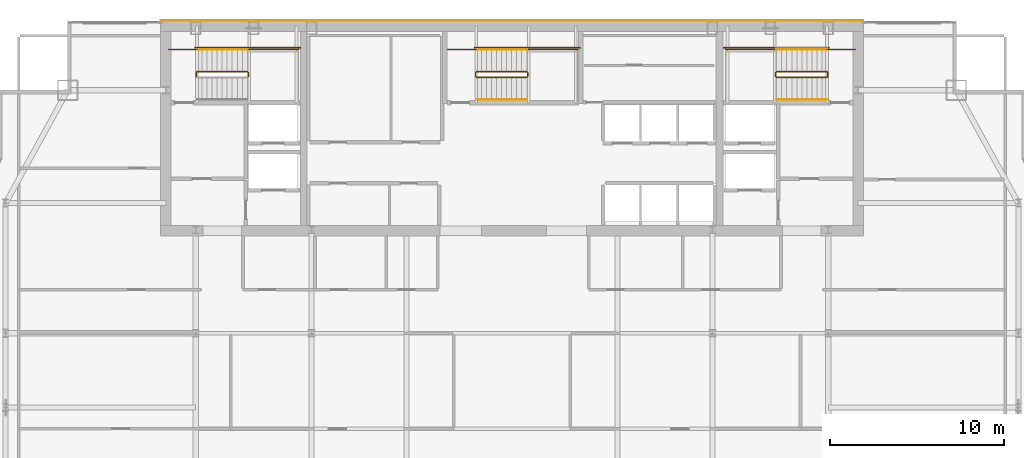
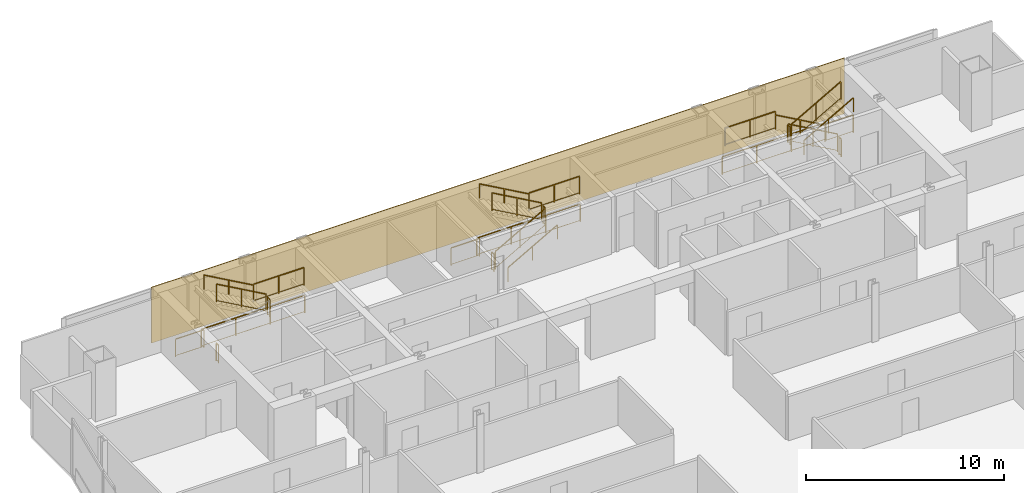
# One storey, part 30 of 30: 25 railings, 1 covering.
"""IFC4 building model written with IfcOpenShell, lengths in metres."""

from ifc_helpers import new_model, si_unit, direction, frame, origin, origin_2d, place, context, subcontext, project, spatial, polyline, rectangle, outline, extrude, material, layer, layer_set, type_object, element, save


model = new_model("IFC4")

# Units and contexts
model_context = context("Model", 3, precision=1e-05, world=origin(), true_north=direction((0.0, 1.0)))
body_context = subcontext(model_context, "Body", "Model", "MODEL_VIEW")
ifc_project = project(units=[si_unit("LENGTHUNIT", "METRE"), si_unit("AREAUNIT", "SQUARE_METRE"), si_unit("VOLUMEUNIT", "CUBIC_METRE"), si_unit("PLANEANGLEUNIT", "RADIAN"), si_unit("MASSUNIT", "GRAM", prefix="KILO")], contexts=[model_context])

# Site, building, storey
site_placement = place(None, origin())
site = spatial("IfcSite", under=ifc_project, at=site_placement, CompositionType="ELEMENT")
building_placement = place(site_placement, origin())
building = spatial("IfcBuilding", under=site, at=building_placement, Name="Khoronbel Lancet Exchange", CompositionType="ELEMENT")
storey_placement = place(building_placement, frame((0.0, 0.0, 206.60009765625)))
storey = spatial("IfcBuildingStorey", under=building, at=storey_placement, Name="L52", CompositionType="ELEMENT", Elevation=206.60009765625)

# Covering
ifc_material_1 = material(Name="Honed Egyptian Limestone & Bronze Rainscreen", Category="masonry")
ifc_layer = layer(ifc_material_1, 0.050048828125, Name="Honed Egyptian Limestone & Bronze Rainscreen")
ifc_layer_set = layer_set([ifc_layer], Name="Honed Egyptian Limestone & Bronze Rainscreen")
covering_type = type_object("IfcCoveringType", Name="COV-CLAD1", PredefinedType="CLADDING", material=ifc_layer_set)
covering_placement = place(storey_placement, origin())
element("IfcCovering", 1, at=covering_placement, inside=storey, type_object=covering_type, Name="Level L52 north rear-core stone and bronze rainscreen cladding", PredefinedType="CLADDING", context=body_context, shape_type="SweptSolid", body=[
    extrude(outline(polyline([(16.199951171875, 53.699951171875), (56.699951171875, 53.699951171875), (56.699951171875, 53.75), (16.199951171875, 53.75), (16.199951171875, 53.699951171875)])), origin(), (0.0, 0.0, 1.0), 3.43994140625),
])

# Railings
ifc_material_2 = material(Name="Painted Steel Balustrade", Category="steel")
railing_type_1 = type_object("IfcRailingType", Name="RL-STG110", PredefinedType="GUARDRAIL", material=ifc_material_2)
railing_1_placement = place(storey_placement, frame((21.25, 50.5, 1.7998046875)))
element("IfcRailing", 2, at=railing_1_placement, inside=storey, type_object=railing_type_1, Name="L52 ST1 stair guard 2", PredefinedType="GUARDRAIL", context=body_context, shape_type="SweptSolid", body=[
    extrude(rectangle(XDim=0.048095703125, YDim=0.048095703125, at=origin_2d()), frame((0.0, 0.0, 1.09619140625), z_axis=(0.0, 1.0, 0.0), x_axis=(-1.0, 0.0, 0.0)), (0.0, 0.0, 1.0), 0.219970703125),
    extrude(rectangle(XDim=0.02392578125, YDim=0.02392578125, at=origin_2d()), frame((0.0, 0.0, 0.080078125), z_axis=(0.0, 1.0, 0.0), x_axis=(-1.0, 0.0, 0.0)), (0.0, 0.0, 1.0), 0.219970703125),
    extrude(rectangle(XDim=0.0419921875, YDim=0.0419921875, at=origin_2d()), origin(), (0.0, 0.0, 1.0), 1.072021484375),
    extrude(rectangle(XDim=0.0419921875, YDim=0.0419921875, at=origin_2d()), frame((0.0, 0.219970703125, 0.0)), (0.0, 0.0, 1.0), 1.072021484375),
])
railing_2_placement = place(storey_placement, frame((21.199951171875, 52.050048828125, 1.7998046875)))
element("IfcRailing", 3, at=railing_2_placement, inside=storey, type_object=railing_type_1, Name="L52 ST1 stair guard 3", PredefinedType="GUARDRAIL", context=body_context, shape_type="SweptSolid", body=[
    extrude(rectangle(XDim=0.048095703125, YDim=0.048095703125, at=origin_2d()), frame((0.0, 0.0, 1.09619140625), z_axis=(1.0, 0.0, 0.0), x_axis=(0.0, 1.0, 0.0)), (0.0, 0.0, 1.0), 2.949951171875),
    extrude(rectangle(XDim=0.02392578125, YDim=0.02392578125, at=origin_2d()), frame((0.0, 0.0, 0.080078125), z_axis=(1.0, 0.0, 0.0), x_axis=(0.0, 1.0, 0.0)), (0.0, 0.0, 1.0), 2.949951171875),
    extrude(rectangle(XDim=0.0419921875, YDim=0.0419921875, at=origin_2d()), origin(), (0.0, 0.0, 1.0), 1.072021484375),
    extrude(rectangle(XDim=0.0419921875, YDim=0.0419921875, at=origin_2d()), frame((1.47509765625, 0.0, 0.0)), (0.0, 0.0, 1.0), 1.072021484375),
    extrude(rectangle(XDim=0.0419921875, YDim=0.0419921875, at=origin_2d()), frame((2.949951171875, 0.0, 0.0)), (0.0, 0.0, 1.0), 1.072021484375),
])
railing_3_placement = place(storey_placement, frame((21.199951171875, 50.77001953125, 1.963623046875)))
element("IfcRailing", 4, at=railing_3_placement, inside=storey, type_object=railing_type_1, Name="L52 ST1 stair guard 4", PredefinedType="GUARDRAIL", context=body_context, shape_type="SweptSolid", body=[
    extrude(rectangle(XDim=0.048095703125, YDim=0.048095703125, at=origin_2d()), frame((0.0, 0.0, 1.09619140625), z_axis=(-0.870928581787, 0.0, 0.491409610636), x_axis=(0.0, -1.0, 0.0)), (0.0, 0.0, 1.0), 3.32958984375),
    extrude(rectangle(XDim=0.02392578125, YDim=0.02392578125, at=origin_2d()), frame((0.0, 0.0, 0.080078125), z_axis=(-0.870928581787, 0.0, 0.491409610636), x_axis=(0.0, -1.0, 0.0)), (0.0, 0.0, 1.0), 3.32958984375),
    extrude(rectangle(XDim=0.0419921875, YDim=0.0419921875, at=origin_2d()), origin(), (0.0, 0.0, 1.0), 1.072021484375),
    extrude(rectangle(XDim=0.0419921875, YDim=0.0419921875, at=origin_2d()), frame((-1.449951171875, 0.0, 0.818115234375)), (0.0, 0.0, 1.0), 1.072021484375),
    extrude(rectangle(XDim=0.0419921875, YDim=0.0419921875, at=origin_2d()), frame((-2.89990234375, 0.0, 1.63623046875)), (0.0, 0.0, 1.0), 1.072021484375),
])
railing_4_placement = place(storey_placement, frame((18.25, 50.5, 0.0)))
element("IfcRailing", 5, at=railing_4_placement, inside=storey, type_object=railing_type_1, Name="L52 ST1 stair guard 5", PredefinedType="GUARDRAIL", context=body_context, shape_type="SweptSolid", body=[
    extrude(rectangle(XDim=0.048095703125, YDim=0.048095703125, at=origin_2d()), frame((0.0, 0.0, 1.09619140625), z_axis=(0.0, 1.0, 0.0), x_axis=(-1.0, 0.0, 0.0)), (0.0, 0.0, 1.0), 0.219970703125),
    extrude(rectangle(XDim=0.02392578125, YDim=0.02392578125, at=origin_2d()), frame((0.0, 0.0, 0.080078125), z_axis=(0.0, 1.0, 0.0), x_axis=(-1.0, 0.0, 0.0)), (0.0, 0.0, 1.0), 0.219970703125),
    extrude(rectangle(XDim=0.0419921875, YDim=0.0419921875, at=origin_2d()), origin(), (0.0, 0.0, 1.0), 1.072021484375),
    extrude(rectangle(XDim=0.0419921875, YDim=0.0419921875, at=origin_2d()), frame((0.0, 0.219970703125, 0.0)), (0.0, 0.0, 1.0), 1.072021484375),
])
railing_5_placement = place(storey_placement, frame((16.64990234375, 52.050048828125, 0.0)))
element("IfcRailing", 6, at=railing_5_placement, inside=storey, type_object=railing_type_1, Name="L52 ST1 stair guard 6", PredefinedType="GUARDRAIL", context=body_context, shape_type="SweptSolid", body=[
    extrude(rectangle(XDim=0.048095703125, YDim=0.048095703125, at=origin_2d()), frame((0.0, 0.0, 1.09619140625), z_axis=(1.0, 0.0, 0.0), x_axis=(0.0, 1.0, 0.0)), (0.0, 0.0, 1.0), 1.650146484375),
    extrude(rectangle(XDim=0.02392578125, YDim=0.02392578125, at=origin_2d()), frame((0.0, 0.0, 0.080078125), z_axis=(1.0, 0.0, 0.0), x_axis=(0.0, 1.0, 0.0)), (0.0, 0.0, 1.0), 1.650146484375),
    extrude(rectangle(XDim=0.0419921875, YDim=0.0419921875, at=origin_2d()), origin(), (0.0, 0.0, 1.0), 1.072021484375),
    extrude(rectangle(XDim=0.0419921875, YDim=0.0419921875, at=origin_2d()), frame((1.650146484375, 0.0, 0.0)), (0.0, 0.0, 1.0), 1.072021484375),
])
railing_6_placement = place(storey_placement, frame((18.199951171875, 52.14990234375, 0.0)))
element("IfcRailing", 7, at=railing_6_placement, inside=storey, type_object=railing_type_1, Name="L52 ST1 stair guard 7", PredefinedType="GUARDRAIL", context=body_context, shape_type="SweptSolid", body=[
    extrude(rectangle(XDim=0.048095703125, YDim=0.048095703125, at=origin_2d()), frame((0.0, 0.0, 1.09619140625), z_axis=(1.0, 0.0, 0.0), x_axis=(0.0, 1.0, 0.0)), (0.0, 0.0, 1.0), 6.050048828125),
    extrude(rectangle(XDim=0.02392578125, YDim=0.02392578125, at=origin_2d()), frame((0.0, 0.0, 0.080078125), z_axis=(1.0, 0.0, 0.0), x_axis=(0.0, 1.0, 0.0)), (0.0, 0.0, 1.0), 6.050048828125),
    extrude(rectangle(XDim=0.0419921875, YDim=0.0419921875, at=origin_2d()), origin(), (0.0, 0.0, 1.0), 1.072021484375),
    extrude(rectangle(XDim=0.0419921875, YDim=0.0419921875, at=origin_2d()), frame((2.0166015625, 0.0, 0.0)), (0.0, 0.0, 1.0), 1.072021484375),
    extrude(rectangle(XDim=0.0419921875, YDim=0.0419921875, at=origin_2d()), frame((4.033447265625, 0.0, 0.0)), (0.0, 0.0, 1.0), 1.072021484375),
    extrude(rectangle(XDim=0.0419921875, YDim=0.0419921875, at=origin_2d()), frame((6.050048828125, 0.0, 0.0)), (0.0, 0.0, 1.0), 1.072021484375),
])
railing_7_placement = place(storey_placement, frame((54.60009765625, 50.77001953125, 0.16357421875)))
element("IfcRailing", 8, at=railing_7_placement, inside=storey, type_object=railing_type_1, Name="L52 ST2 stair guard 1", PredefinedType="GUARDRAIL", context=body_context, shape_type="SweptSolid", body=[
    extrude(rectangle(XDim=0.048095703125, YDim=0.048095703125, at=origin_2d()), frame((0.0, 0.0, 1.09619140625), z_axis=(-0.870946286338, 0.0, 0.49137823142), x_axis=(0.0, -1.0, 0.0)), (0.0, 0.0, 1.0), 3.329833984375),
    extrude(rectangle(XDim=0.02392578125, YDim=0.02392578125, at=origin_2d()), frame((0.0, 0.0, 0.080078125), z_axis=(-0.870946286338, 0.0, 0.49137823142), x_axis=(0.0, -1.0, 0.0)), (0.0, 0.0, 1.0), 3.329833984375),
    extrude(rectangle(XDim=0.0419921875, YDim=0.0419921875, at=origin_2d()), origin(), (0.0, 0.0, 1.0), 1.072021484375),
    extrude(rectangle(XDim=0.0419921875, YDim=0.0419921875, at=origin_2d()), frame((-1.4501953125, 0.0, 0.818115234375)), (0.0, 0.0, 1.0), 1.072021484375),
    extrude(rectangle(XDim=0.0419921875, YDim=0.0419921875, at=origin_2d()), frame((-2.900146484375, 0.0, 1.63623046875)), (0.0, 0.0, 1.0), 1.072021484375),
])
railing_8_placement = place(storey_placement, frame((51.64990234375, 50.719970703125, 1.7998046875)))
element("IfcRailing", 9, at=railing_8_placement, inside=storey, type_object=railing_type_1, Name="L52 ST2 stair guard 2", PredefinedType="GUARDRAIL", context=body_context, shape_type="SweptSolid", body=[
    extrude(rectangle(XDim=0.048095703125, YDim=0.048095703125, at=origin_2d()), frame((0.0, 0.0, 1.09619140625), z_axis=(0.0, -1.0, 0.0), x_axis=(1.0, 0.0, 0.0)), (0.0, 0.0, 1.0), 0.219970703125),
    extrude(rectangle(XDim=0.02392578125, YDim=0.02392578125, at=origin_2d()), frame((0.0, 0.0, 0.080078125), z_axis=(0.0, -1.0, 0.0), x_axis=(1.0, 0.0, 0.0)), (0.0, 0.0, 1.0), 0.219970703125),
    extrude(rectangle(XDim=0.0419921875, YDim=0.0419921875, at=origin_2d()), origin(), (0.0, 0.0, 1.0), 1.072021484375),
    extrude(rectangle(XDim=0.0419921875, YDim=0.0419921875, at=origin_2d()), frame((0.0, -0.219970703125, 0.0)), (0.0, 0.0, 1.0), 1.072021484375),
])
railing_9_placement = place(storey_placement, frame((51.699951171875, 52.050048828125, 1.7998046875)))
element("IfcRailing", 10, at=railing_9_placement, inside=storey, type_object=railing_type_1, Name="L52 ST2 stair guard 3", PredefinedType="GUARDRAIL", context=body_context, shape_type="SweptSolid", body=[
    extrude(rectangle(XDim=0.048095703125, YDim=0.048095703125, at=origin_2d()), frame((0.0, 0.0, 1.09619140625), z_axis=(-1.0, 0.0, 0.0), x_axis=(0.0, -1.0, 0.0)), (0.0, 0.0, 1.0), 2.949951171875),
    extrude(rectangle(XDim=0.02392578125, YDim=0.02392578125, at=origin_2d()), frame((0.0, 0.0, 0.080078125), z_axis=(-1.0, 0.0, 0.0), x_axis=(0.0, -1.0, 0.0)), (0.0, 0.0, 1.0), 2.949951171875),
    extrude(rectangle(XDim=0.0419921875, YDim=0.0419921875, at=origin_2d()), origin(), (0.0, 0.0, 1.0), 1.072021484375),
    extrude(rectangle(XDim=0.0419921875, YDim=0.0419921875, at=origin_2d()), frame((-1.47509765625, 0.0, 0.0)), (0.0, 0.0, 1.0), 1.072021484375),
    extrude(rectangle(XDim=0.0419921875, YDim=0.0419921875, at=origin_2d()), frame((-2.949951171875, 0.0, 0.0)), (0.0, 0.0, 1.0), 1.072021484375),
])
railing_10_placement = place(storey_placement, frame((51.699951171875, 50.449951171875, 1.963623046875)))
element("IfcRailing", 11, at=railing_10_placement, inside=storey, type_object=railing_type_1, Name="L52 ST2 stair guard 4", PredefinedType="GUARDRAIL", context=body_context, shape_type="SweptSolid", body=[
    extrude(rectangle(XDim=0.048095703125, YDim=0.048095703125, at=origin_2d()), frame((0.0, 0.0, 1.09619140625), z_axis=(0.870946286338, 0.0, 0.49137823142), x_axis=(0.0, 1.0, 0.0)), (0.0, 0.0, 1.0), 3.329833984375),
    extrude(rectangle(XDim=0.02392578125, YDim=0.02392578125, at=origin_2d()), frame((0.0, 0.0, 0.080078125), z_axis=(0.870946286338, 0.0, 0.49137823142), x_axis=(0.0, 1.0, 0.0)), (0.0, 0.0, 1.0), 3.329833984375),
    extrude(rectangle(XDim=0.0419921875, YDim=0.0419921875, at=origin_2d()), origin(), (0.0, 0.0, 1.0), 1.072021484375),
    extrude(rectangle(XDim=0.0419921875, YDim=0.0419921875, at=origin_2d()), frame((1.4501953125, 0.0, 0.818115234375)), (0.0, 0.0, 1.0), 1.072021484375),
    extrude(rectangle(XDim=0.0419921875, YDim=0.0419921875, at=origin_2d()), frame((2.900146484375, 0.0, 1.63623046875)), (0.0, 0.0, 1.0), 1.072021484375),
])
railing_11_placement = place(storey_placement, frame((54.64990234375, 50.719970703125, 0.0)))
element("IfcRailing", 12, at=railing_11_placement, inside=storey, type_object=railing_type_1, Name="L52 ST2 stair guard 5", PredefinedType="GUARDRAIL", context=body_context, shape_type="SweptSolid", body=[
    extrude(rectangle(XDim=0.048095703125, YDim=0.048095703125, at=origin_2d()), frame((0.0, 0.0, 1.09619140625), z_axis=(0.0, -1.0, 0.0), x_axis=(1.0, 0.0, 0.0)), (0.0, 0.0, 1.0), 0.219970703125),
    extrude(rectangle(XDim=0.02392578125, YDim=0.02392578125, at=origin_2d()), frame((0.0, 0.0, 0.080078125), z_axis=(0.0, -1.0, 0.0), x_axis=(1.0, 0.0, 0.0)), (0.0, 0.0, 1.0), 0.219970703125),
    extrude(rectangle(XDim=0.0419921875, YDim=0.0419921875, at=origin_2d()), origin(), (0.0, 0.0, 1.0), 1.072021484375),
    extrude(rectangle(XDim=0.0419921875, YDim=0.0419921875, at=origin_2d()), frame((0.0, -0.219970703125, 0.0)), (0.0, 0.0, 1.0), 1.072021484375),
])
railing_12_placement = place(storey_placement, frame((56.25, 52.050048828125, 0.0)))
element("IfcRailing", 13, at=railing_12_placement, inside=storey, type_object=railing_type_1, Name="L52 ST2 stair guard 6", PredefinedType="GUARDRAIL", context=body_context, shape_type="SweptSolid", body=[
    extrude(rectangle(XDim=0.048095703125, YDim=0.048095703125, at=origin_2d()), frame((0.0, 0.0, 1.09619140625), z_axis=(-1.0, 0.0, 0.0), x_axis=(0.0, -1.0, 0.0)), (0.0, 0.0, 1.0), 1.64990234375),
    extrude(rectangle(XDim=0.02392578125, YDim=0.02392578125, at=origin_2d()), frame((0.0, 0.0, 0.080078125), z_axis=(-1.0, 0.0, 0.0), x_axis=(0.0, -1.0, 0.0)), (0.0, 0.0, 1.0), 1.64990234375),
    extrude(rectangle(XDim=0.0419921875, YDim=0.0419921875, at=origin_2d()), origin(), (0.0, 0.0, 1.0), 1.072021484375),
    extrude(rectangle(XDim=0.0419921875, YDim=0.0419921875, at=origin_2d()), frame((-1.64990234375, 0.0, 0.0)), (0.0, 0.0, 1.0), 1.072021484375),
])
railing_13_placement = place(storey_placement, frame((54.699951171875, 52.14990234375, 0.0)))
element("IfcRailing", 14, at=railing_13_placement, inside=storey, type_object=railing_type_1, Name="L52 ST2 stair guard 7", PredefinedType="GUARDRAIL", context=body_context, shape_type="SweptSolid", body=[
    extrude(rectangle(XDim=0.048095703125, YDim=0.048095703125, at=origin_2d()), frame((0.0, 0.0, 1.09619140625), z_axis=(-1.0, 0.0, 0.0), x_axis=(0.0, -1.0, 0.0)), (0.0, 0.0, 1.0), 6.050048828125),
    extrude(rectangle(XDim=0.02392578125, YDim=0.02392578125, at=origin_2d()), frame((0.0, 0.0, 0.080078125), z_axis=(-1.0, 0.0, 0.0), x_axis=(0.0, -1.0, 0.0)), (0.0, 0.0, 1.0), 6.050048828125),
    extrude(rectangle(XDim=0.0419921875, YDim=0.0419921875, at=origin_2d()), origin(), (0.0, 0.0, 1.0), 1.072021484375),
    extrude(rectangle(XDim=0.0419921875, YDim=0.0419921875, at=origin_2d()), frame((-2.0166015625, 0.0, 0.0)), (0.0, 0.0, 1.0), 1.072021484375),
    extrude(rectangle(XDim=0.0419921875, YDim=0.0419921875, at=origin_2d()), frame((-4.033447265625, 0.0, 0.0)), (0.0, 0.0, 1.0), 1.072021484375),
    extrude(rectangle(XDim=0.0419921875, YDim=0.0419921875, at=origin_2d()), frame((-6.050048828125, 0.0, 0.0)), (0.0, 0.0, 1.0), 1.072021484375),
])
railing_14_placement = place(storey_placement, frame((34.39990234375, 50.449951171875, 0.16357421875)))
element("IfcRailing", 15, at=railing_14_placement, inside=storey, type_object=railing_type_1, Name="L52 ST3 stair guard 1", PredefinedType="GUARDRAIL", context=body_context, shape_type="SweptSolid", body=[
    extrude(rectangle(XDim=0.048095703125, YDim=0.048095703125, at=origin_2d()), frame((0.0, 0.0, 1.09619140625), z_axis=(0.870946286338, 0.0, 0.49137823142), x_axis=(0.0, 1.0, 0.0)), (0.0, 0.0, 1.0), 3.329833984375),
    extrude(rectangle(XDim=0.02392578125, YDim=0.02392578125, at=origin_2d()), frame((0.0, 0.0, 0.080078125), z_axis=(0.870946286338, 0.0, 0.49137823142), x_axis=(0.0, 1.0, 0.0)), (0.0, 0.0, 1.0), 3.329833984375),
    extrude(rectangle(XDim=0.0419921875, YDim=0.0419921875, at=origin_2d()), origin(), (0.0, 0.0, 1.0), 1.072021484375),
    extrude(rectangle(XDim=0.0419921875, YDim=0.0419921875, at=origin_2d()), frame((1.4501953125, 0.0, 0.818115234375)), (0.0, 0.0, 1.0), 1.072021484375),
    extrude(rectangle(XDim=0.0419921875, YDim=0.0419921875, at=origin_2d()), frame((2.900146484375, 0.0, 1.63623046875)), (0.0, 0.0, 1.0), 1.072021484375),
])
railing_15_placement = place(storey_placement, frame((37.35009765625, 50.5, 1.7998046875)))
element("IfcRailing", 16, at=railing_15_placement, inside=storey, type_object=railing_type_1, Name="L52 ST3 stair guard 2", PredefinedType="GUARDRAIL", context=body_context, shape_type="SweptSolid", body=[
    extrude(rectangle(XDim=0.048095703125, YDim=0.048095703125, at=origin_2d()), frame((0.0, 0.0, 1.09619140625), z_axis=(0.0, 1.0, 0.0), x_axis=(-1.0, 0.0, 0.0)), (0.0, 0.0, 1.0), 0.219970703125),
    extrude(rectangle(XDim=0.02392578125, YDim=0.02392578125, at=origin_2d()), frame((0.0, 0.0, 0.080078125), z_axis=(0.0, 1.0, 0.0), x_axis=(-1.0, 0.0, 0.0)), (0.0, 0.0, 1.0), 0.219970703125),
    extrude(rectangle(XDim=0.0419921875, YDim=0.0419921875, at=origin_2d()), origin(), (0.0, 0.0, 1.0), 1.072021484375),
    extrude(rectangle(XDim=0.0419921875, YDim=0.0419921875, at=origin_2d()), frame((0.0, 0.219970703125, 0.0)), (0.0, 0.0, 1.0), 1.072021484375),
])
railing_16_placement = place(storey_placement, frame((37.300048828125, 52.050048828125, 1.7998046875)))
element("IfcRailing", 17, at=railing_16_placement, inside=storey, type_object=railing_type_1, Name="L52 ST3 stair guard 3", PredefinedType="GUARDRAIL", context=body_context, shape_type="SweptSolid", body=[
    extrude(rectangle(XDim=0.048095703125, YDim=0.048095703125, at=origin_2d()), frame((0.0, 0.0, 1.09619140625), z_axis=(1.0, 0.0, 0.0), x_axis=(0.0, 1.0, 0.0)), (0.0, 0.0, 1.0), 2.949951171875),
    extrude(rectangle(XDim=0.02392578125, YDim=0.02392578125, at=origin_2d()), frame((0.0, 0.0, 0.080078125), z_axis=(1.0, 0.0, 0.0), x_axis=(0.0, 1.0, 0.0)), (0.0, 0.0, 1.0), 2.949951171875),
    extrude(rectangle(XDim=0.0419921875, YDim=0.0419921875, at=origin_2d()), origin(), (0.0, 0.0, 1.0), 1.072021484375),
    extrude(rectangle(XDim=0.0419921875, YDim=0.0419921875, at=origin_2d()), frame((1.47509765625, 0.0, 0.0)), (0.0, 0.0, 1.0), 1.072021484375),
    extrude(rectangle(XDim=0.0419921875, YDim=0.0419921875, at=origin_2d()), frame((2.949951171875, 0.0, 0.0)), (0.0, 0.0, 1.0), 1.072021484375),
])
railing_17_placement = place(storey_placement, frame((37.300048828125, 50.77001953125, 1.963623046875)))
element("IfcRailing", 18, at=railing_17_placement, inside=storey, type_object=railing_type_1, Name="L52 ST3 stair guard 4", PredefinedType="GUARDRAIL", context=body_context, shape_type="SweptSolid", body=[
    extrude(rectangle(XDim=0.048095703125, YDim=0.048095703125, at=origin_2d()), frame((0.0, 0.0, 1.09619140625), z_axis=(-0.870946286338, 0.0, 0.49137823142), x_axis=(0.0, -1.0, 0.0)), (0.0, 0.0, 1.0), 3.329833984375),
    extrude(rectangle(XDim=0.02392578125, YDim=0.02392578125, at=origin_2d()), frame((0.0, 0.0, 0.080078125), z_axis=(-0.870946286338, 0.0, 0.49137823142), x_axis=(0.0, -1.0, 0.0)), (0.0, 0.0, 1.0), 3.329833984375),
    extrude(rectangle(XDim=0.0419921875, YDim=0.0419921875, at=origin_2d()), origin(), (0.0, 0.0, 1.0), 1.072021484375),
    extrude(rectangle(XDim=0.0419921875, YDim=0.0419921875, at=origin_2d()), frame((-1.4501953125, 0.0, 0.818115234375)), (0.0, 0.0, 1.0), 1.072021484375),
    extrude(rectangle(XDim=0.0419921875, YDim=0.0419921875, at=origin_2d()), frame((-2.900146484375, 0.0, 1.63623046875)), (0.0, 0.0, 1.0), 1.072021484375),
])
railing_18_placement = place(storey_placement, frame((34.35009765625, 50.5, 0.0)))
element("IfcRailing", 19, at=railing_18_placement, inside=storey, type_object=railing_type_1, Name="L52 ST3 stair guard 5", PredefinedType="GUARDRAIL", context=body_context, shape_type="SweptSolid", body=[
    extrude(rectangle(XDim=0.048095703125, YDim=0.048095703125, at=origin_2d()), frame((0.0, 0.0, 1.09619140625), z_axis=(0.0, 1.0, 0.0), x_axis=(-1.0, 0.0, 0.0)), (0.0, 0.0, 1.0), 0.219970703125),
    extrude(rectangle(XDim=0.02392578125, YDim=0.02392578125, at=origin_2d()), frame((0.0, 0.0, 0.080078125), z_axis=(0.0, 1.0, 0.0), x_axis=(-1.0, 0.0, 0.0)), (0.0, 0.0, 1.0), 0.219970703125),
    extrude(rectangle(XDim=0.0419921875, YDim=0.0419921875, at=origin_2d()), origin(), (0.0, 0.0, 1.0), 1.072021484375),
    extrude(rectangle(XDim=0.0419921875, YDim=0.0419921875, at=origin_2d()), frame((0.0, 0.219970703125, 0.0)), (0.0, 0.0, 1.0), 1.072021484375),
])
railing_19_placement = place(storey_placement, frame((32.75, 52.050048828125, 0.0)))
element("IfcRailing", 20, at=railing_19_placement, inside=storey, type_object=railing_type_1, Name="L52 ST3 stair guard 6", PredefinedType="GUARDRAIL", context=body_context, shape_type="SweptSolid", body=[
    extrude(rectangle(XDim=0.048095703125, YDim=0.048095703125, at=origin_2d()), frame((0.0, 0.0, 1.09619140625), z_axis=(1.0, 0.0, 0.0), x_axis=(0.0, 1.0, 0.0)), (0.0, 0.0, 1.0), 1.64990234375),
    extrude(rectangle(XDim=0.02392578125, YDim=0.02392578125, at=origin_2d()), frame((0.0, 0.0, 0.080078125), z_axis=(1.0, 0.0, 0.0), x_axis=(0.0, 1.0, 0.0)), (0.0, 0.0, 1.0), 1.64990234375),
    extrude(rectangle(XDim=0.0419921875, YDim=0.0419921875, at=origin_2d()), origin(), (0.0, 0.0, 1.0), 1.072021484375),
    extrude(rectangle(XDim=0.0419921875, YDim=0.0419921875, at=origin_2d()), frame((1.64990234375, 0.0, 0.0)), (0.0, 0.0, 1.0), 1.072021484375),
])
railing_20_placement = place(storey_placement, frame((34.300048828125, 52.14990234375, 0.0)))
element("IfcRailing", 21, at=railing_20_placement, inside=storey, type_object=railing_type_1, Name="L52 ST3 stair guard 7", PredefinedType="GUARDRAIL", context=body_context, shape_type="SweptSolid", body=[
    extrude(rectangle(XDim=0.048095703125, YDim=0.048095703125, at=origin_2d()), frame((0.0, 0.0, 1.09619140625), z_axis=(1.0, 0.0, 0.0), x_axis=(0.0, 1.0, 0.0)), (0.0, 0.0, 1.0), 6.050048828125),
    extrude(rectangle(XDim=0.02392578125, YDim=0.02392578125, at=origin_2d()), frame((0.0, 0.0, 0.080078125), z_axis=(1.0, 0.0, 0.0), x_axis=(0.0, 1.0, 0.0)), (0.0, 0.0, 1.0), 6.050048828125),
    extrude(rectangle(XDim=0.0419921875, YDim=0.0419921875, at=origin_2d()), origin(), (0.0, 0.0, 1.0), 1.072021484375),
    extrude(rectangle(XDim=0.0419921875, YDim=0.0419921875, at=origin_2d()), frame((2.0166015625, 0.0, 0.0)), (0.0, 0.0, 1.0), 1.072021484375),
    extrude(rectangle(XDim=0.0419921875, YDim=0.0419921875, at=origin_2d()), frame((4.033447265625, 0.0, 0.0)), (0.0, 0.0, 1.0), 1.072021484375),
    extrude(rectangle(XDim=0.0419921875, YDim=0.0419921875, at=origin_2d()), frame((6.050048828125, 0.0, 0.0)), (0.0, 0.0, 1.0), 1.072021484375),
])
ifc_material_3 = material(Name="Brushed Stainless Steel 316", Category="steel")
railing_type_2 = type_object("IfcRailingType", Name="RL-STH92", PredefinedType="HANDRAIL", material=ifc_material_3)
railing_21_placement = place(storey_placement, frame((21.199951171875, 52.050048828125, 1.963623046875)))
element("IfcRailing", 22, at=railing_21_placement, inside=storey, type_object=railing_type_2, Name="L52 ST1 stair handrail 2", PredefinedType="HANDRAIL", context=body_context, shape_type="SweptSolid", body=[
    extrude(rectangle(XDim=0.048095703125, YDim=0.048095703125, at=origin_2d()), frame((0.0, 0.0, 0.8759765625), z_axis=(-0.870928581787, 0.0, 0.491409610636), x_axis=(0.0, -1.0, 0.0)), (0.0, 0.0, 1.0), 3.32958984375),
    extrude(rectangle(XDim=0.0419921875, YDim=0.0419921875, at=origin_2d()), origin(), (0.0, 0.0, 1.0), 0.851806640625),
    extrude(rectangle(XDim=0.0419921875, YDim=0.0419921875, at=origin_2d()), frame((-1.449951171875, 0.0, 0.818115234375)), (0.0, 0.0, 1.0), 0.851806640625),
    extrude(rectangle(XDim=0.0419921875, YDim=0.0419921875, at=origin_2d()), frame((-2.89990234375, 0.0, 1.63623046875)), (0.0, 0.0, 1.0), 0.851806640625),
])
railing_22_placement = place(storey_placement, frame((54.60009765625, 52.050048828125, 0.16357421875)))
element("IfcRailing", 23, at=railing_22_placement, inside=storey, type_object=railing_type_2, Name="L52 ST2 stair handrail 1", PredefinedType="HANDRAIL", context=body_context, shape_type="SweptSolid", body=[
    extrude(rectangle(XDim=0.048095703125, YDim=0.048095703125, at=origin_2d()), frame((0.0, 0.0, 0.8759765625), z_axis=(-0.870946286338, 0.0, 0.49137823142), x_axis=(0.0, -1.0, 0.0)), (0.0, 0.0, 1.0), 3.329833984375),
    extrude(rectangle(XDim=0.0419921875, YDim=0.0419921875, at=origin_2d()), origin(), (0.0, 0.0, 1.0), 0.851806640625),
    extrude(rectangle(XDim=0.0419921875, YDim=0.0419921875, at=origin_2d()), frame((-1.4501953125, 0.0, 0.818115234375)), (0.0, 0.0, 1.0), 0.851806640625),
    extrude(rectangle(XDim=0.0419921875, YDim=0.0419921875, at=origin_2d()), frame((-2.900146484375, 0.0, 1.63623046875)), (0.0, 0.0, 1.0), 0.851806640625),
])
for number, where, name in (
    (24, (51.699951171875, 49.169921875, 1.963623046875), "L52 ST2 stair handrail 2"),
    (25, (34.39990234375, 49.169921875, 0.16357421875), "L52 ST3 stair handrail 1"),
):
    element("IfcRailing", number, at=place(storey_placement, frame(where)), inside=storey, type_object=railing_type_2, Name=name, PredefinedType="HANDRAIL", context=body_context, shape_type="SweptSolid", body=[
        extrude(rectangle(XDim=0.048095703125, YDim=0.048095703125, at=origin_2d()), frame((0.0, 0.0, 0.8759765625), z_axis=(0.870946286338, 0.0, 0.49137823142), x_axis=(0.0, 1.0, 0.0)), (0.0, 0.0, 1.0), 3.329833984375),
        extrude(rectangle(XDim=0.0419921875, YDim=0.0419921875, at=origin_2d()), origin(), (0.0, 0.0, 1.0), 0.851806640625),
        extrude(rectangle(XDim=0.0419921875, YDim=0.0419921875, at=origin_2d()), frame((1.4501953125, 0.0, 0.818115234375)), (0.0, 0.0, 1.0), 0.851806640625),
        extrude(rectangle(XDim=0.0419921875, YDim=0.0419921875, at=origin_2d()), frame((2.900146484375, 0.0, 1.63623046875)), (0.0, 0.0, 1.0), 0.851806640625),
    ])
railing_23_placement = place(storey_placement, frame((37.300048828125, 52.050048828125, 1.963623046875)))
element("IfcRailing", 26, at=railing_23_placement, inside=storey, type_object=railing_type_2, Name="L52 ST3 stair handrail 2", PredefinedType="HANDRAIL", context=body_context, shape_type="SweptSolid", body=[
    extrude(rectangle(XDim=0.048095703125, YDim=0.048095703125, at=origin_2d()), frame((0.0, 0.0, 0.8759765625), z_axis=(-0.870946286338, 0.0, 0.49137823142), x_axis=(0.0, -1.0, 0.0)), (0.0, 0.0, 1.0), 3.329833984375),
    extrude(rectangle(XDim=0.0419921875, YDim=0.0419921875, at=origin_2d()), origin(), (0.0, 0.0, 1.0), 0.851806640625),
    extrude(rectangle(XDim=0.0419921875, YDim=0.0419921875, at=origin_2d()), frame((-1.4501953125, 0.0, 0.818115234375)), (0.0, 0.0, 1.0), 0.851806640625),
    extrude(rectangle(XDim=0.0419921875, YDim=0.0419921875, at=origin_2d()), frame((-2.900146484375, 0.0, 1.63623046875)), (0.0, 0.0, 1.0), 0.851806640625),
])

save(model, "model.ifc")
